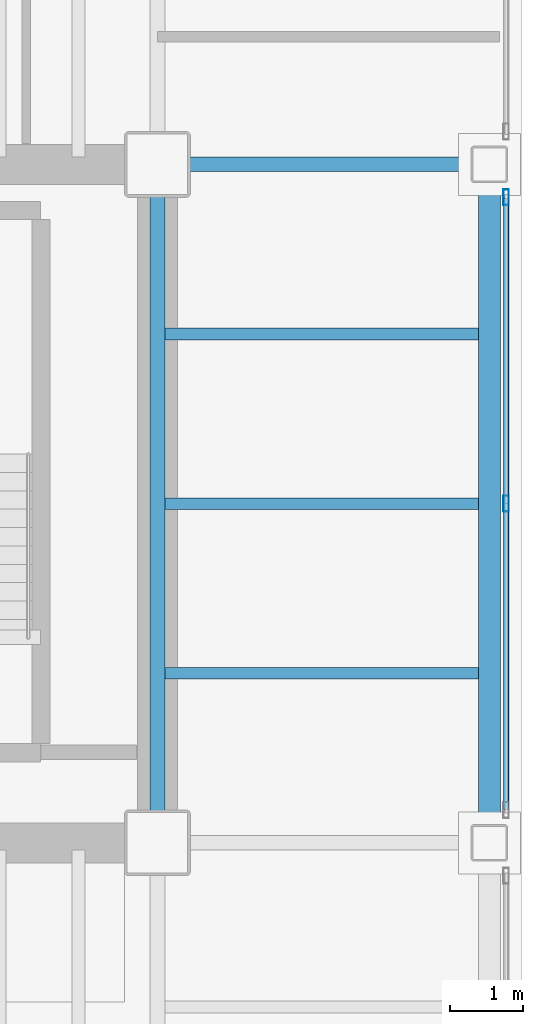
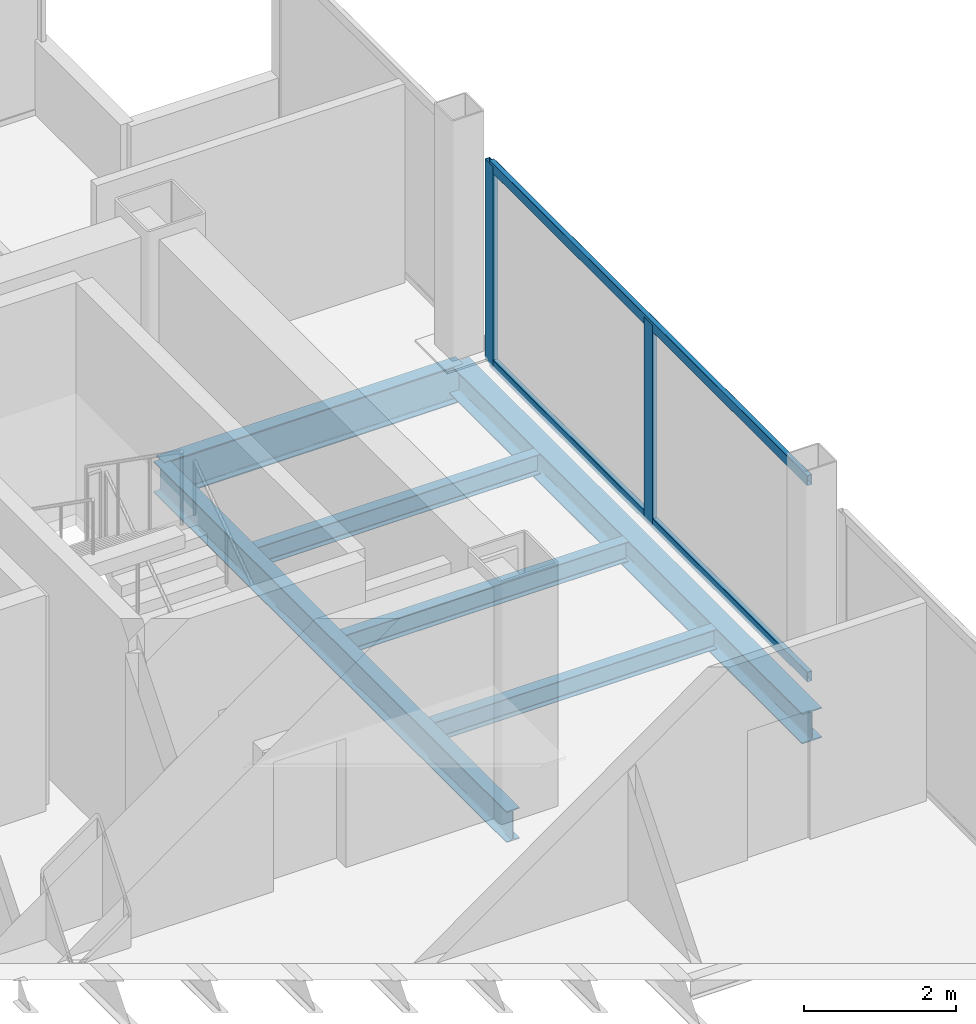
# One storey, part 13 of 19: 6 beams, 4 members, 1 element without a shape of its own.
"""IFC4 building model written with IfcOpenShell, lengths in metres."""

from ifc_helpers import new_model, si_unit, direction, frame, origin, origin_2d, place, context, subcontext, project, spatial, hollow_rectangle, i_section, extrude, material, material_profile, profile_set, type_object, element, aggregate, save


model = new_model("IFC4")

# Units and contexts
model_context = context("Model", 3, precision=1e-05, world=origin(), true_north=direction((0.0, 1.0)))
body_context = subcontext(model_context, "Body", "Model", "MODEL_VIEW")
ifc_project = project(units=[si_unit("LENGTHUNIT", "METRE"), si_unit("AREAUNIT", "SQUARE_METRE"), si_unit("VOLUMEUNIT", "CUBIC_METRE"), si_unit("PLANEANGLEUNIT", "RADIAN"), si_unit("MASSUNIT", "GRAM", prefix="KILO")], contexts=[model_context])

# Site, building, storey
site_placement = place(None, origin())
site = spatial("IfcSite", under=ifc_project, at=site_placement, CompositionType="ELEMENT")
building_placement = place(site_placement, origin())
building = spatial("IfcBuilding", under=site, at=building_placement, Name="Noeulbin Bourse Tower", CompositionType="ELEMENT")
storey_placement = place(building_placement, frame((0.0, 0.0, 150.0)))
storey = spatial("IfcBuildingStorey", under=building, at=storey_placement, Name="L37", CompositionType="ELEMENT", Elevation=150.0)

# Beams
ifc_material_1 = material(Name="Steel S355", Category="steel")
ifc_material_profile_1 = material_profile(ifc_material_1, i_section(OverallWidth=0.199951171875, OverallDepth=0.5, WebThickness=0.010009765625, FlangeThickness=0.01611328125, FilletRadius=0.02001953125, at=origin_2d()), Name="H-500x200x10x16", Category="LoadBearing")
ifc_profile_set_1 = profile_set([ifc_material_profile_1], Name="Steel S355")
beam_type_1 = type_object("IfcBeamType", Name="BM-GRD-500", PredefinedType="USERDEFINED", material=ifc_profile_set_1)
beam_1_placement = place(storey_placement, frame((44.0, 29.0, -0.429931640625), z_axis=(0.0, 1.0, 0.0), x_axis=(-1.0, 0.0, 0.0)))
element("IfcBeam", 1, at=beam_1_placement, inside=storey, type_object=beam_type_1, Name="Tower Primary Girder NS L37-5.3", ObjectType="GIRDER", PredefinedType="USERDEFINED", context=body_context, shape_type="SweptSolid", body=[
    extrude(i_section(OverallWidth=0.199951171875, OverallDepth=0.5, WebThickness=0.010009765625, FlangeThickness=0.01611328125, FilletRadius=0.02001953125, at=origin_2d()), origin(), (0.0, 0.0, 1.0), 9.300048828125),
])
ifc_material_profile_2 = material_profile(ifc_material_1, i_section(OverallWidth=0.199951171875, OverallDepth=0.60009765625, WebThickness=0.010986328125, FlangeThickness=0.01708984375, FilletRadius=0.02197265625, at=origin_2d()), Name="H-600x200x11x17", Category="LoadBearing")
ifc_profile_set_2 = profile_set([ifc_material_profile_2], Name="Steel S355")
beam_type_2 = type_object("IfcBeamType", Name="BM-GRD-600", PredefinedType="USERDEFINED", material=ifc_profile_set_2)
beam_2_placement = place(storey_placement, frame((44.0, 38.300048828125, -0.47998046875), z_axis=(1.0, 0.0, 0.0), x_axis=(0.0, 1.0, 0.0)))
element("IfcBeam", 2, at=beam_2_placement, inside=storey, type_object=beam_type_2, Name="Tower Primary Girder EW L37-3.5", ObjectType="GIRDER", PredefinedType="USERDEFINED", context=body_context, shape_type="SweptSolid", body=[
    extrude(i_section(OverallWidth=0.199951171875, OverallDepth=0.60009765625, WebThickness=0.010986328125, FlangeThickness=0.01708984375, FilletRadius=0.02197265625, at=origin_2d()), origin(), (0.0, 0.0, 1.0), 4.550048828125),
])
ifc_material_profile_3 = material_profile(ifc_material_1, i_section(OverallWidth=0.159912109375, OverallDepth=0.320068359375, WebThickness=0.006591796875, FlangeThickness=0.010009765625, FilletRadius=0.012939453125, at=origin_2d()), Name="H-320x160x6.5x10", Category="LoadBearing")
ifc_profile_set_3 = profile_set([ifc_material_profile_3], Name="Steel S355")
beam_type_3 = type_object("IfcBeamType", Name="BM-JST-320", PredefinedType="JOIST", material=ifc_profile_set_3)
for number, where, z_axis, x_axis, name in (
    (3, (44.10009765625, 31.324951171875, -0.340087890625), (1.0, 0.0, 0.0), (0.0, 1.0, 0.0), "Wing Composite Joist L37-E76"),
    (4, (44.10009765625, 33.64990234375, -0.340087890625), (1.0, 0.0, 0.0), (0.0, 1.0, 0.0), "Wing Composite Joist L37-E77"),
    (5, (44.10009765625, 35.97509765625, -0.340087890625), (1.0, 0.0, 0.0), (0.0, 1.0, 0.0), "Wing Composite Joist L37-E78"),
):
    element("IfcBeam", number, at=place(storey_placement, frame(where, z_axis=z_axis, x_axis=x_axis)), inside=storey, type_object=beam_type_3, Name=name, PredefinedType="JOIST", context=body_context, shape_type="SweptSolid", body=[
        extrude(i_section(OverallWidth=0.159912109375, OverallDepth=0.320068359375, WebThickness=0.006591796875, FlangeThickness=0.010009765625, FilletRadius=0.012939453125, at=origin_2d()), origin(), (0.0, 0.0, 1.0), 4.2998046875),
    ])
ifc_material_profile_4 = material_profile(ifc_material_1, i_section(OverallWidth=0.300048828125, OverallDepth=0.488037109375, WebThickness=0.010986328125, FlangeThickness=0.01806640625, FilletRadius=0.02197265625, at=origin_2d()), Name="H-488x300x11x18", Category="LoadBearing")
ifc_profile_set_4 = profile_set([ifc_material_profile_4], Name="Steel S355")
beam_type_4 = type_object("IfcBeamType", Name="BM-SPN-488", PredefinedType="SPANDREL", material=ifc_profile_set_4)
beam_3_placement = place(storey_placement, frame((48.550048828125, 29.0, -0.424072265625), z_axis=(0.0, 1.0, 0.0), x_axis=(-1.0, 0.0, 0.0)))
element("IfcBeam", 6, at=beam_3_placement, inside=storey, type_object=beam_type_4, Name="East Spandrel L37-2", PredefinedType="SPANDREL", context=body_context, shape_type="SweptSolid", body=[
    extrude(i_section(OverallWidth=0.300048828125, OverallDepth=0.488037109375, WebThickness=0.010986328125, FlangeThickness=0.01806640625, FilletRadius=0.02197265625, at=origin_2d()), origin(), (0.0, 0.0, 1.0), 9.300048828125),
])

# Curtain wall, members
ifc_material_2 = material(Name="Dark Tinted Triple Glazing", Category="glass")
curtain_wall_type = type_object("IfcCurtainWallType", Name="CW-SYS-3", PredefinedType="NOTDEFINED", material=ifc_material_2)
curtain_wall_placement = place(storey_placement, origin())
curtain_wall = element("IfcCurtainWall", 7, at=curtain_wall_placement, inside=storey, type_object=curtain_wall_type, Name="Unitised Curtain Wall CW-L37-E-S2", PredefinedType="NOTDEFINED")
ifc_material_3 = material(Name="Anodised Aluminium 6063-T6", Category="aluminium")
ifc_material_profile_5 = material_profile(ifc_material_3, hollow_rectangle(XDim=0.074951171875, YDim=0.219970703125, WallThickness=0.0048828125, InnerFilletRadius=0.00244140625, OuterFilletRadius=0.0048828125, at=origin_2d()), Name="ALU-MULL-75x220x5", Category="LoadBearing")
ifc_profile_set_5 = profile_set([ifc_material_profile_5], Name="Anodised Aluminium 6063-T6")
member_type_1 = type_object("IfcMemberType", Name="CW-SYS-3-MUL", PredefinedType="MULLION", material=ifc_profile_set_5)
member_1_placement = place(storey_placement, frame((48.780029296875, 33.64990234375, -0.02001953125), z_axis=(0.0, 0.0, 1.0), x_axis=(1.0, 0.0, 0.0)))
member_1 = element("IfcMember", 8, at=member_1_placement, type_object=member_type_1, Name="Curtain Wall Mullion CW-L37-E-S2-M01", PredefinedType="MULLION", context=body_context, shape_type="SweptSolid", body=[
    extrude(hollow_rectangle(XDim=0.074951171875, YDim=0.219970703125, WallThickness=0.0048828125, InnerFilletRadius=0.00244140625, OuterFilletRadius=0.0048828125, at=origin_2d()), origin(), (0.0, 0.0, 1.0), 3.219970703125),
])
member_2_placement = place(storey_placement, frame((48.780029296875, 37.85009765625, -0.02001953125), z_axis=(0.0, 0.0, 1.0), x_axis=(1.0, 0.0, 0.0)))
member_2 = element("IfcMember", 9, at=member_2_placement, type_object=member_type_1, Name="Curtain Wall Mullion CW-L37-E-S2-M02", PredefinedType="MULLION", context=body_context, shape_type="SweptSolid", body=[
    extrude(hollow_rectangle(XDim=0.074951171875, YDim=0.219970703125, WallThickness=0.0048828125, InnerFilletRadius=0.00244140625, OuterFilletRadius=0.0048828125, at=origin_2d()), origin(), (0.0, 0.0, 1.0), 3.219970703125),
])
ifc_material_profile_6 = material_profile(ifc_material_3, hollow_rectangle(XDim=0.074951171875, YDim=0.159912109375, WallThickness=0.0048828125, InnerFilletRadius=0.00244140625, OuterFilletRadius=0.0048828125, at=origin_2d()), Name="ALU-TRAN-75x160x5", Category="LoadBearing")
ifc_profile_set_6 = profile_set([ifc_material_profile_6], Name="Anodised Aluminium 6063-T6")
member_type_2 = type_object("IfcMemberType", Name="CW-SYS-3-TRN", PredefinedType="USERDEFINED", material=ifc_profile_set_6)
member_3_placement = place(storey_placement, frame((48.780029296875, 29.4599609375, 0.010009765625), z_axis=(0.0, 1.0, 0.0), x_axis=(-1.0, 0.0, 0.0)))
member_3 = element("IfcMember", 10, at=member_3_placement, type_object=member_type_2, Name="Curtain Wall Transom CW-L37-E-S2-T00", ObjectType="TRANSOM", PredefinedType="USERDEFINED", context=body_context, shape_type="SweptSolid", body=[
    extrude(hollow_rectangle(XDim=0.074951171875, YDim=0.159912109375, WallThickness=0.0048828125, InnerFilletRadius=0.00244140625, OuterFilletRadius=0.0048828125, at=origin_2d()), origin(), (0.0, 0.0, 1.0), 8.380126953125),
])
member_4_placement = place(storey_placement, frame((48.780029296875, 29.4599609375, 3.169921875), z_axis=(0.0, 1.0, 0.0), x_axis=(-1.0, 0.0, 0.0)))
member_4 = element("IfcMember", 11, at=member_4_placement, type_object=member_type_2, Name="Curtain Wall Transom CW-L37-E-S2-T01", ObjectType="TRANSOM", PredefinedType="USERDEFINED", context=body_context, shape_type="SweptSolid", body=[
    extrude(hollow_rectangle(XDim=0.074951171875, YDim=0.159912109375, WallThickness=0.0048828125, InnerFilletRadius=0.00244140625, OuterFilletRadius=0.0048828125, at=origin_2d()), origin(), (0.0, 0.0, 1.0), 8.380126953125),
])
aggregate(curtain_wall, [member_1, member_2, member_3, member_4])

save(model, "model.ifc")
